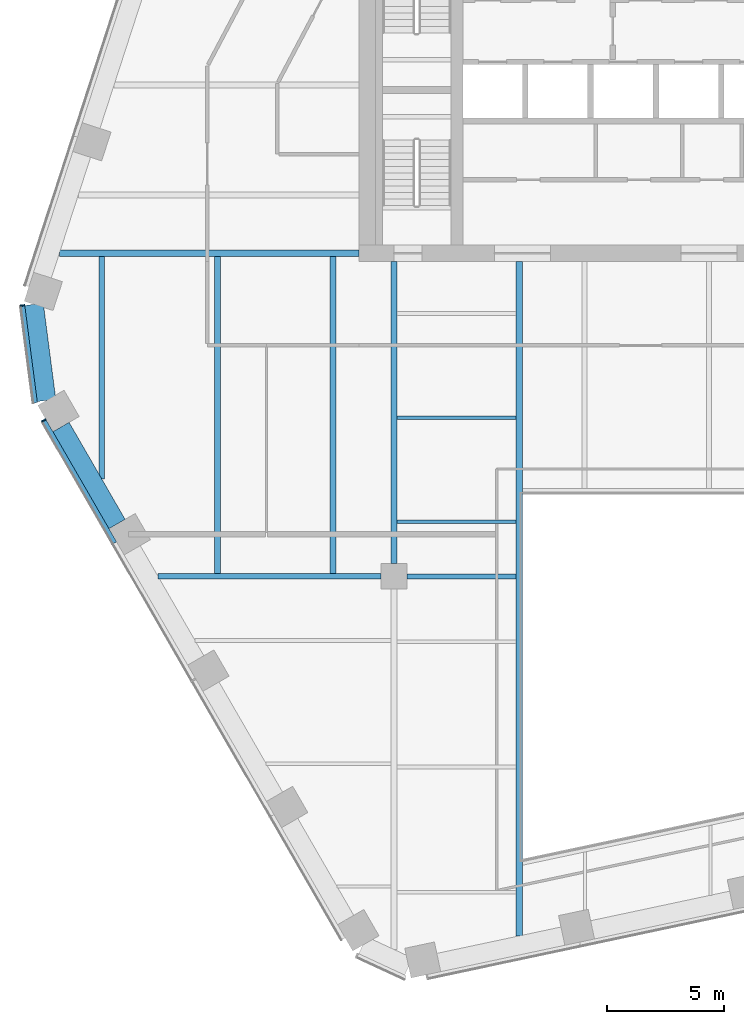
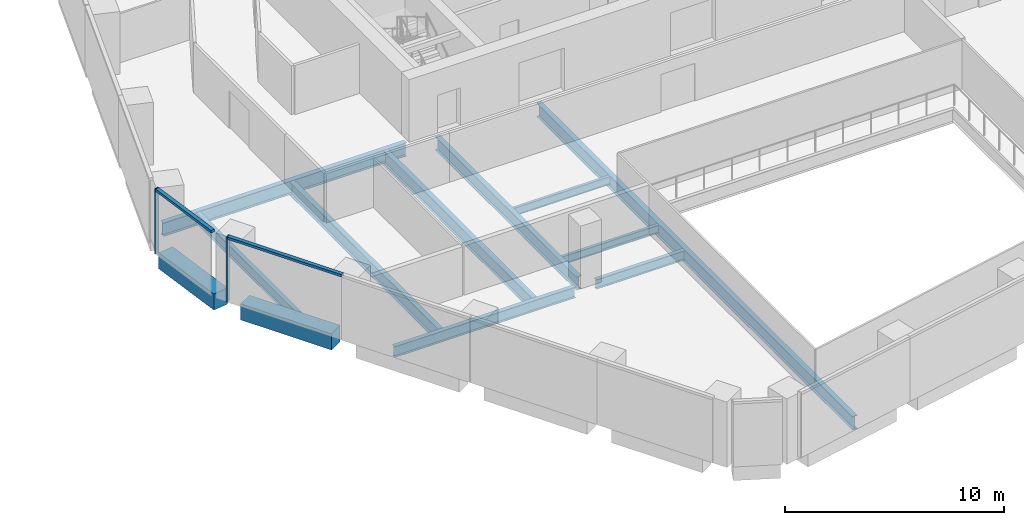
# One storey, part 3 of 16: 12 beams, 4 members, 2 elements without a shape of their own.
"""IFC4 building model written with IfcOpenShell, lengths in metres."""

from ifc_helpers import new_model, si_unit, direction, frame, origin, origin_2d, place, context, subcontext, project, spatial, rectangle, i_section, extrude, material, layer, layer_set, material_profile, profile_set, type_object, element, aggregate, save


model = new_model("IFC4")

# Units and contexts
model_context = context("Model", 3, precision=1e-05, world=origin(), true_north=direction((0.0, 1.0)))
body_context = subcontext(model_context, "Body", "Model", "MODEL_VIEW")
ifc_project = project(units=[si_unit("LENGTHUNIT", "METRE"), si_unit("AREAUNIT", "SQUARE_METRE"), si_unit("VOLUMEUNIT", "CUBIC_METRE"), si_unit("PLANEANGLEUNIT", "RADIAN"), si_unit("MASSUNIT", "GRAM", prefix="KILO")], contexts=[model_context])

# Site, building, storey
site_placement = place(None, origin())
site = spatial("IfcSite", under=ifc_project, at=site_placement, CompositionType="ELEMENT")
building_placement = place(site_placement, origin())
building = spatial("IfcBuilding", under=site, at=building_placement, Name="Isthmus Gate Tower", CompositionType="ELEMENT")
storey_placement = place(building_placement, frame((0.0, 0.0, 178.10009765625)))
storey = spatial("IfcBuildingStorey", under=building, at=storey_placement, Name="L44", CompositionType="ELEMENT", Elevation=178.10009765625)

# Curtain wall, member
ifc_material_1 = material(Name="Aluminium, pale champagne anodised", Category="aluminium")
ifc_layer = layer(ifc_material_1, 0.199951171875)
ifc_layer_set = layer_set([ifc_layer], Name="CW-1 UNITISED CURTAIN WALL 200 DEEP")
curtain_wall_type = type_object("IfcCurtainWallType", Name="CW-1 UNITISED CURTAIN WALL 200 DEEP", PredefinedType="NOTDEFINED", material=ifc_layer_set)
curtain_wall_1_placement = place(storey_placement, origin())
curtain_wall_1 = element("IfcCurtainWall", 1, at=curtain_wall_1_placement, inside=storey, type_object=curtain_wall_type, Name="CW-1 NW-SW L44", PredefinedType="NOTDEFINED")
ifc_material_2 = material(Name="Aluminium, pale champagne anodised", Category="aluminium")
ifc_material_profile_1 = material_profile(ifc_material_2, rectangle(XDim=0.06005859375, YDim=0.199951171875, at=origin_2d()), Name="60x200")
ifc_profile_set_1 = profile_set([ifc_material_profile_1], Name="Aluminium, pale champagne anodised")
member_type_1 = type_object("IfcMemberType", Name="CW-1 MULLION 60 X 200", PredefinedType="MULLION", material=ifc_profile_set_1)
member_1_placement = place(storey_placement, frame((-29.42724609375, -1.88525390625, 0.0), z_axis=(0.0, 0.0, 1.0), x_axis=(0.129164534, -0.991623175988, 0.0)))
member_1 = element("IfcMember", 2, at=member_1_placement, type_object=member_type_1, Name="CW-1 mullion", PredefinedType="MULLION", context=body_context, shape_type="SweptSolid", body=[
    extrude(rectangle(XDim=0.06005859375, YDim=0.199951171875, at=origin_2d()), origin(), (0.0, 0.0, 1.0), 3.64990234375),
])

curtain_wall_2_placement = place(storey_placement, origin())
curtain_wall_2 = element("IfcCurtainWall", 3, at=curtain_wall_2_placement, inside=storey, type_object=curtain_wall_type, Name="CW-1 SW L44", PredefinedType="NOTDEFINED")
member_2_placement = place(storey_placement, frame((-28.5146484375, -6.811279296875, 0.0), z_axis=(0.0, 0.0, 1.0), x_axis=(0.5, -0.866025403784, 0.0)))
member_2 = element("IfcMember", 4, at=member_2_placement, type_object=member_type_1, Name="CW-1 mullion", PredefinedType="MULLION", context=body_context, shape_type="SweptSolid", body=[
    extrude(rectangle(XDim=0.06005859375, YDim=0.199951171875, at=origin_2d()), origin(), (0.0, 0.0, 1.0), 3.64990234375),
])

# Member
ifc_material_3 = material(Name="Aluminium, pale champagne anodised", Category="aluminium")
ifc_material_profile_2 = material_profile(ifc_material_3, rectangle(XDim=0.199951171875, YDim=0.139892578125, at=origin_2d()), Name="200x140")
ifc_profile_set_2 = profile_set([ifc_material_profile_2], Name="Aluminium, pale champagne anodised")
member_type_2 = type_object("IfcMemberType", Name="CW-1 TRANSOM 200 X 140", PredefinedType="USERDEFINED", material=ifc_profile_set_2)
member_3_placement = place(storey_placement, frame((-29.42333984375, -1.9150390625, 3.579833984375), z_axis=(0.129149481977, -0.991625136483, 0.0), x_axis=(0.991625136483, 0.129149481977, 0.0)))
member_3 = element("IfcMember", 5, at=member_3_placement, type_object=member_type_2, Name="CW-1 transom", ObjectType="TRANSOM", PredefinedType="USERDEFINED", context=body_context, shape_type="SweptSolid", body=[
    extrude(rectangle(XDim=0.199951171875, YDim=0.139892578125, at=origin_2d()), origin(), (0.0, 0.0, 1.0), 4.181396484375),
])

aggregate(curtain_wall_1, [member_1, member_3])

member_4_placement = place(storey_placement, frame((-28.49951171875, -6.837158203125, 3.579833984375), z_axis=(0.499990697366, -0.866030774596, 0.0), x_axis=(0.866030774596, 0.499990697366, 0.0)))
member_4 = element("IfcMember", 6, at=member_4_placement, type_object=member_type_2, Name="CW-1 transom", ObjectType="TRANSOM", PredefinedType="USERDEFINED", context=body_context, shape_type="SweptSolid", body=[
    extrude(rectangle(XDim=0.199951171875, YDim=0.139892578125, at=origin_2d()), origin(), (0.0, 0.0, 1.0), 6.0400390625),
])

aggregate(curtain_wall_2, [member_2, member_4])

# Beams
ifc_material_4 = material(Name="Concrete f'c 60 MPa", Category="concrete")
ifc_material_profile_3 = material_profile(ifc_material_4, rectangle(XDim=0.800048828125, YDim=0.89990234375, at=origin_2d()), Name="RC 800X900")
ifc_profile_set_3 = profile_set([ifc_material_profile_3], Name="Concrete f'c 60 MPa")
beam_type_1 = type_object("IfcBeamType", Name="RC SPANDREL 800 X 900", PredefinedType="SPANDREL", material=ifc_profile_set_3)
beam_1_placement = place(storey_placement, frame((-25.37158203125, -11.255126953125, -0.4501953125), z_axis=(-0.499979284789, 0.866037363387, 0.0), x_axis=(-0.866037363387, -0.499979284789, 0.0)))
element("IfcBeam", 7, at=beam_1_placement, inside=storey, type_object=beam_type_1, Name="str-spandrel-L44-19", PredefinedType="SPANDREL", context=body_context, shape_type="SweptSolid", body=[
    extrude(rectangle(XDim=0.800048828125, YDim=0.89990234375, at=origin_2d()), origin(), (0.0, 0.0, 1.0), 4.800048828125),
])
beam_2_placement = place(storey_placement, frame((-28.392822265625, -5.955810546875, -0.4501953125), z_axis=(-0.129170777359, 0.991622362735, 0.0), x_axis=(-0.991622362735, -0.129170777359, 0.0)))
element("IfcBeam", 8, at=beam_2_placement, inside=storey, type_object=beam_type_1, Name="str-spandrel-L44-20", PredefinedType="SPANDREL", context=body_context, shape_type="SweptSolid", body=[
    extrude(rectangle(XDim=0.800048828125, YDim=0.89990234375, at=origin_2d()), origin(), (0.0, 0.0, 1.0), 4.15234375),
])
ifc_material_5 = material(Name="Structural steel ASTM A992 Gr 50", Category="steel")
ifc_material_profile_4 = material_profile(ifc_material_5, i_section(OverallWidth=0.15234375, OverallDepth=0.45068359375, WebThickness=0.0078125, FlangeThickness=0.010986328125, at=origin_2d()), Name="W18X35")
ifc_profile_set_4 = profile_set([ifc_material_profile_4], Name="Structural steel ASTM A992 Gr 50")
beam_type_2 = type_object("IfcBeamType", Name="STEEL FLOOR BEAM W18X35", PredefinedType="JOIST", material=ifc_profile_set_4)
for number, where, z_axis, x_axis, name in (
    (9, (-13.3681640625, -11.16259765625, -0.37548828125), (1.0, 0.0, 0.0), (0.0, 1.0, 0.0), "str-beam-L44-04-00"),
    (10, (-13.3681640625, -6.697509765625, -0.37548828125), (1.0, 0.0, 0.0), (0.0, 1.0, 0.0), "str-beam-L44-04-01"),
):
    element("IfcBeam", number, at=place(storey_placement, frame(where, z_axis=z_axis, x_axis=x_axis)), inside=storey, type_object=beam_type_2, Name=name, PredefinedType="JOIST", context=body_context, shape_type="SweptSolid", body=[
        extrude(i_section(OverallWidth=0.15234375, OverallDepth=0.45068359375, WebThickness=0.0078125, FlangeThickness=0.010986328125, at=origin_2d()), origin(), (0.0, 0.0, 1.0), 5.1015625),
    ])
ifc_material_6 = material(Name="Structural steel ASTM A992 Gr 50", Category="steel")
ifc_material_profile_5 = material_profile(ifc_material_6, i_section(OverallWidth=0.228515625, OverallDepth=0.603271484375, WebThickness=0.010986328125, FlangeThickness=0.014404296875, at=origin_2d()), Name="W24X68")
ifc_profile_set_5 = profile_set([ifc_material_profile_5], Name="Structural steel ASTM A992 Gr 50")
beam_type_3 = type_object("IfcBeamType", Name="STEEL FLOOR BEAM W24X68", PredefinedType="JOIST", material=ifc_profile_set_5)
beam_3_placement = place(storey_placement, frame((-26.028564453125, -9.317138671875, -0.45166015625), z_axis=(0.0, 1.0, 0.0), x_axis=(-1.0, 0.0, 0.0)))
element("IfcBeam", 11, at=beam_3_placement, inside=storey, type_object=beam_type_3, Name="str-beam-L44-00-00", PredefinedType="JOIST", context=body_context, shape_type="SweptSolid", body=[
    extrude(i_section(OverallWidth=0.228515625, OverallDepth=0.603271484375, WebThickness=0.010986328125, FlangeThickness=0.014404296875, at=origin_2d()), origin(), (0.0, 0.0, 1.0), 9.535400390625),
])
ifc_material_7 = material(Name="Structural steel ASTM A992 Gr 50", Category="steel")
ifc_material_profile_6 = material_profile(ifc_material_7, i_section(OverallWidth=0.263427734375, OverallDepth=0.749267578125, WebThickness=0.0126953125, FlangeThickness=0.015869140625, at=origin_2d()), Name="W30X90")
ifc_profile_set_6 = profile_set([ifc_material_profile_6], Name="Structural steel ASTM A992 Gr 50")
beam_type_4 = type_object("IfcBeamType", Name="STEEL FLOOR BEAM W30X90", PredefinedType="JOIST", material=ifc_profile_set_6)
for number, where, z_axis, x_axis, name in (
    (12, (-21.06982421875, -13.3857421875, -0.524658203125), (0.0, 1.0, 0.0), (-1.0, 0.0, 0.0), "str-beam-L44-00-01"),
    (13, (-16.111083984375, -13.3857421875, -0.524658203125), (0.0, 1.0, 0.0), (-1.0, 0.0, 0.0), "str-beam-L44-00-02"),
):
    element("IfcBeam", number, at=place(storey_placement, frame(where, z_axis=z_axis, x_axis=x_axis)), inside=storey, type_object=beam_type_4, Name=name, PredefinedType="JOIST", context=body_context, shape_type="SweptSolid", body=[
        extrude(i_section(OverallWidth=0.263427734375, OverallDepth=0.749267578125, WebThickness=0.0126953125, FlangeThickness=0.015869140625, at=origin_2d()), origin(), (0.0, 0.0, 1.0), 13.60400390625),
    ])
ifc_material_8 = material(Name="Structural steel ASTM A992 Gr 50", Category="steel")
ifc_material_profile_7 = material_profile(ifc_material_8, i_section(OverallWidth=0.20947265625, OverallDepth=0.533447265625, WebThickness=0.009521484375, FlangeThickness=0.015869140625, at=origin_2d()), Name="W21X62")
ifc_profile_set_7 = profile_set([ifc_material_profile_7], Name="Structural steel ASTM A992 Gr 50")
beam_type_5 = type_object("IfcBeamType", Name="STEEL GIRDER W21X62", PredefinedType="BEAM", material=ifc_profile_set_7)
beam_4_placement = place(storey_placement, frame((-12.949951171875, -13.5, -0.416748046875), z_axis=(1.0, 0.0, 0.0), x_axis=(0.0, 1.0, 0.0)))
element("IfcBeam", 14, at=beam_4_placement, inside=storey, type_object=beam_type_5, Name="str-girder-L44-02", PredefinedType="BEAM", context=body_context, shape_type="SweptSolid", body=[
    extrude(i_section(OverallWidth=0.20947265625, OverallDepth=0.533447265625, WebThickness=0.009521484375, FlangeThickness=0.015869140625, at=origin_2d()), origin(), (0.0, 0.0, 1.0), 4.683349609375),
])
ifc_material_9 = material(Name="Structural steel ASTM A992 Gr 50", Category="steel")
ifc_material_profile_8 = material_profile(ifc_material_9, i_section(OverallWidth=0.228515625, OverallDepth=0.6064453125, WebThickness=0.010986328125, FlangeThickness=0.017578125, at=origin_2d()), Name="W24X76")
ifc_profile_set_8 = profile_set([ifc_material_profile_8], Name="Structural steel ASTM A992 Gr 50")
beam_type_6 = type_object("IfcBeamType", Name="STEEL GIRDER W24X76", PredefinedType="BEAM", material=ifc_profile_set_8)
beam_5_placement = place(storey_placement, frame((-23.613525390625, -13.5, -0.453369140625), z_axis=(1.0, 0.0, 0.0), x_axis=(0.0, 1.0, 0.0)))
element("IfcBeam", 15, at=beam_5_placement, inside=storey, type_object=beam_type_6, Name="str-girder-L44-01", PredefinedType="BEAM", context=body_context, shape_type="SweptSolid", body=[
    extrude(i_section(OverallWidth=0.228515625, OverallDepth=0.6064453125, WebThickness=0.010986328125, FlangeThickness=0.017578125, at=origin_2d()), origin(), (0.0, 0.0, 1.0), 9.5634765625),
])
ifc_material_10 = material(Name="Structural steel ASTM A992 Gr 50", Category="steel")
ifc_material_profile_9 = material_profile(ifc_material_10, i_section(OverallWidth=0.263427734375, OverallDepth=0.749267578125, WebThickness=0.0126953125, FlangeThickness=0.015869140625, at=origin_2d()), Name="W30X90")
ifc_profile_set_9 = profile_set([ifc_material_profile_9], Name="Structural steel ASTM A992 Gr 50")
beam_type_7 = type_object("IfcBeamType", Name="STEEL GIRDER W30X90", PredefinedType="BEAM", material=ifc_profile_set_9)
beam_6_placement = place(storey_placement, frame((-13.5, -12.949951171875, -0.524658203125), z_axis=(0.0, 1.0, 0.0), x_axis=(-1.0, 0.0, 0.0)))
element("IfcBeam", 16, at=beam_6_placement, inside=storey, type_object=beam_type_7, Name="str-girder-L44-08", PredefinedType="BEAM", context=body_context, shape_type="SweptSolid", body=[
    extrude(i_section(OverallWidth=0.263427734375, OverallDepth=0.749267578125, WebThickness=0.0126953125, FlangeThickness=0.015869140625, at=origin_2d()), origin(), (0.0, 0.0, 1.0), 12.949951171875),
])
beam_7_placement = place(storey_placement, frame((-15.0, 0.35009765625, -0.524658203125), z_axis=(-1.0, 0.0, 0.0), x_axis=(0.0, -1.0, 0.0)))
element("IfcBeam", 17, at=beam_7_placement, inside=storey, type_object=beam_type_7, Name="str-girder-L44-13", PredefinedType="BEAM", context=body_context, shape_type="SweptSolid", body=[
    extrude(i_section(OverallWidth=0.263427734375, OverallDepth=0.749267578125, WebThickness=0.0126953125, FlangeThickness=0.015869140625, at=origin_2d()), origin(), (0.0, 0.0, 1.0), 12.8427734375),
])
ifc_material_11 = material(Name="Structural steel ASTM A992 Gr 50", Category="steel")
ifc_material_profile_10 = material_profile(ifc_material_11, i_section(OverallWidth=0.2666015625, OverallDepth=0.7587890625, WebThickness=0.014404296875, FlangeThickness=0.01904296875, at=origin_2d()), Name="W30X108")
ifc_profile_set_10 = profile_set([ifc_material_profile_10], Name="Structural steel ASTM A992 Gr 50")
beam_type_8 = type_object("IfcBeamType", Name="STEEL TRIMMER W30X108", PredefinedType="BEAM", material=ifc_profile_set_10)
beam_8_placement = place(storey_placement, frame((-8.13330078125, 0.0, -0.529541015625), z_axis=(0.0, -1.0, 0.0), x_axis=(1.0, 0.0, 0.0)))
element("IfcBeam", 18, at=beam_8_placement, inside=storey, type_object=beam_type_8, Name="str-trimmer-L44-02", PredefinedType="BEAM", context=body_context, shape_type="SweptSolid", body=[
    extrude(i_section(OverallWidth=0.2666015625, OverallDepth=0.7587890625, WebThickness=0.014404296875, FlangeThickness=0.01904296875, at=origin_2d()), origin(), (0.0, 0.0, 1.0), 28.910888671875),
])

save(model, "model.ifc")
